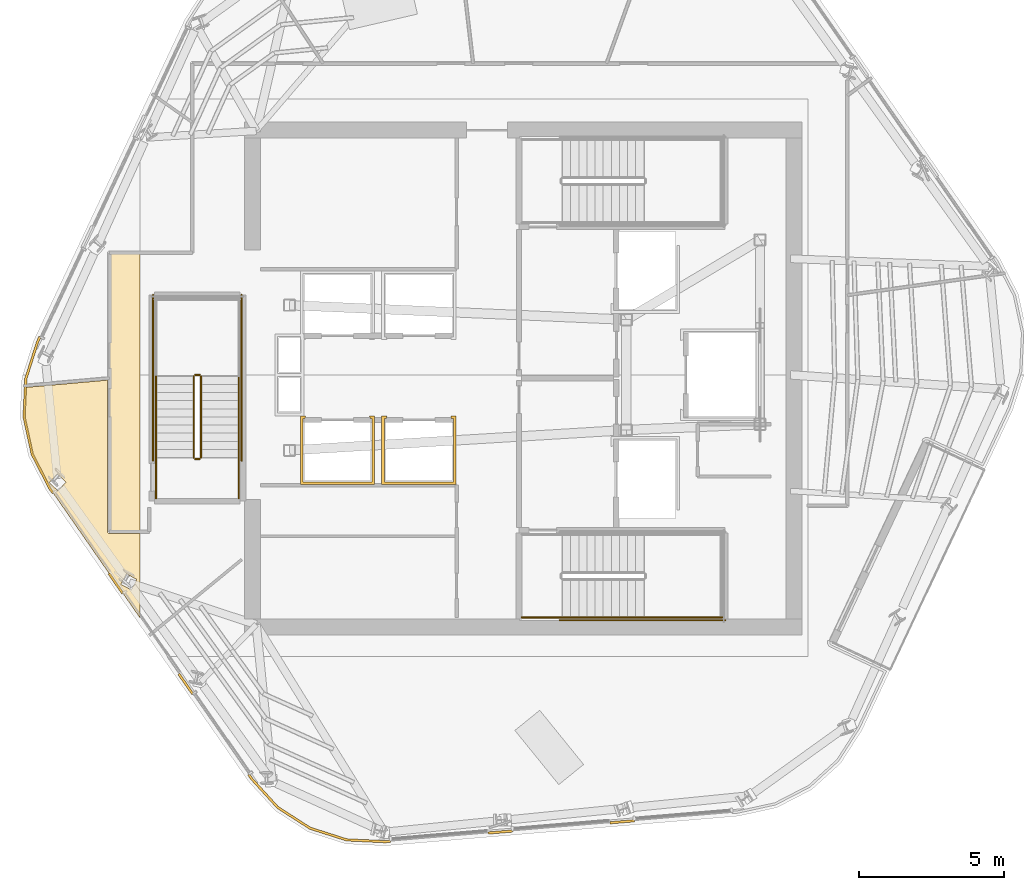
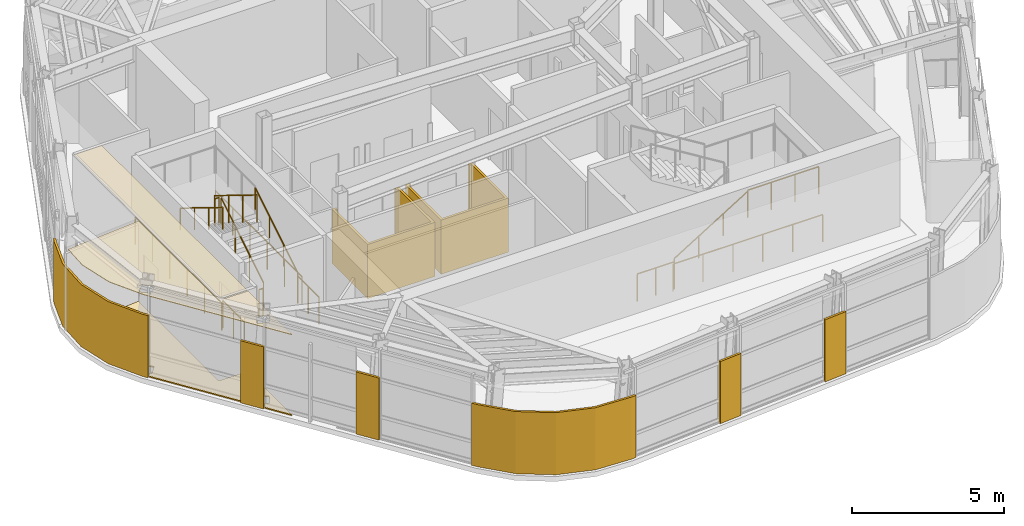
# One storey, part 8 of 14: 14 railings, 11 coverings.
"""IFC4 building model written with IfcOpenShell, lengths in metres."""

from ifc_helpers import new_model, si_unit, direction, frame, origin, origin_2d, place, context, subcontext, project, spatial, polyline, circle, outline, extrude, material, layer, layer_set, type_object, element, save


model = new_model("IFC4")

# Units and contexts
model_context = context("Model", 3, precision=1e-05, world=origin(), true_north=direction((0.0, 1.0)))
body_context = subcontext(model_context, "Body", "Model", "MODEL_VIEW")
ifc_project = project(units=[si_unit("LENGTHUNIT", "METRE"), si_unit("AREAUNIT", "SQUARE_METRE"), si_unit("VOLUMEUNIT", "CUBIC_METRE"), si_unit("PLANEANGLEUNIT", "RADIAN"), si_unit("MASSUNIT", "GRAM", prefix="KILO")], contexts=[model_context])

# Site, building, storey
site_placement = place(None, origin())
site = spatial("IfcSite", under=ifc_project, at=site_placement, CompositionType="ELEMENT")
building_placement = place(site_placement, origin())
building = spatial("IfcBuilding", under=site, at=building_placement, Name="Valkerne Bourse Tower", CompositionType="ELEMENT")
storey_placement = place(building_placement, frame((0.0, 0.0, 304.0)))
storey = spatial("IfcBuildingStorey", under=building, at=storey_placement, Name="L77", CompositionType="ELEMENT", Elevation=304.0)

# Coverings
ifc_material_1 = material(Name="Mineral Fiber Acoustic Ceiling Tile", Category="acoustic")
ifc_layer_1 = layer(ifc_material_1, 0.02490234375)
ifc_layer_set_1 = layer_set([ifc_layer_1], Name="Mineral Fiber Acoustic Ceiling Tile")
covering_type_1 = type_object("IfcCoveringType", Name="COV-CEIL-ACT", PredefinedType="CEILING", material=ifc_layer_set_1)
covering_1_placement = place(storey_placement, frame((0.0, 0.0, 3.25)))
element("IfcCovering", 1, at=covering_1_placement, inside=storey, type_object=covering_type_1, Name="L77 Suspended Ceiling 05", PredefinedType="CEILING", context=body_context, shape_type="SweptSolid", body=[
    extrude(outline(polyline([(29.610107421875, 25.556640625), (29.657958984375, 26.5673828125), (32.48095703125, 26.81884765625), (32.48095703125, 21.599365234375), (32.49462890625, 21.55859375), (32.52001953125, 21.537841796875), (32.549560546875, 21.531005859375), (33.60009765625, 21.531005859375), (33.60009765625, 18.627197265625), (30.500732421875, 23.086181640625), (29.891357421875, 24.267333984375), (29.610107421875, 25.556640625)]), holes=[polyline([(33.48828125, 19.95654296875), (33.126708984375, 20.14697265625), (32.9365234375, 19.78759765625), (32.9375, 19.78564453125), (33.29931640625, 19.59521484375), (33.4892578125, 19.95458984375), (33.48828125, 19.95654296875)]), polyline([(31.050537109375, 23.309814453125), (30.749267578125, 23.585693359375), (30.47412109375, 23.286376953125), (30.474609375, 23.283935546875), (30.77587890625, 23.008056640625), (31.051025390625, 23.307373046875), (31.050537109375, 23.309814453125)])]), origin(), (0.0, 0.0, 1.0), 0.02490234375),
])
ifc_material_2 = material(Name="Bronze Anodised Aluminium AA 6063-T6", Category="aluminium")
ifc_layer_2 = layer(ifc_material_2, 0.030029296875)
ifc_layer_set_2 = layer_set([ifc_layer_2], Name="Bronze Anodised Aluminium AA 6063-T6")
covering_type_2 = type_object("IfcCoveringType", Name="COV-CEIL-METAL", PredefinedType="CEILING", material=ifc_layer_set_2)
covering_2_placement = place(storey_placement, frame((0.0, 0.0, 3.25)))
element("IfcCovering", 2, at=covering_2_placement, inside=storey, type_object=covering_type_2, Name="L77 Suspended Ceiling 02", PredefinedType="CEILING", context=body_context, shape_type="SweptSolid", body=[
    extrude(outline(polyline([(32.553955078125, 21.60400390625), (32.553955078125, 31.196044921875), (33.60009765625, 31.196044921875), (33.60009765625, 21.60400390625), (32.553955078125, 21.60400390625)])), origin(), (0.0, 0.0, 1.0), 0.02490234375),
])
ifc_layer_3 = layer(ifc_material_2, 0.06005859375)
ifc_layer_set_3 = layer_set([ifc_layer_3], Name="Bronze Anodised Aluminium AA 6063-T6")
covering_type_3 = type_object("IfcCoveringType", Name="COV-CRN-ALUM", PredefinedType="CLADDING", material=ifc_layer_set_3)
covering_3_placement = place(storey_placement, origin())
element("IfcCovering", 3, at=covering_3_placement, inside=storey, type_object=covering_type_3, Name="L77 Wind-Shaped Corner Aluminium Cladding 02", PredefinedType="CLADDING", context=body_context, shape_type="SweptSolid", body=[
    extrude(outline(polyline([(49.79052734375, 11.534423828125), (49.783935546875, 11.614013671875), (50.62109375, 11.684326171875), (50.627685546875, 11.604736328125), (49.79052734375, 11.534423828125)])), origin(), (0.0, 0.0, 1.0), 2.5),
])
covering_4_placement = place(storey_placement, origin())
element("IfcCovering", 4, at=covering_4_placement, inside=storey, type_object=covering_type_3, Name="L77 Wind-Shaped Corner Aluminium Cladding 03", PredefinedType="CLADDING", context=body_context, shape_type="SweptSolid", body=[
    extrude(outline(polyline([(45.593505859375, 11.181884765625), (45.586669921875, 11.26171875), (46.423828125, 11.331787109375), (46.430419921875, 11.252197265625), (45.593505859375, 11.181884765625)])), origin(), (0.0, 0.0, 1.0), 2.5),
])
covering_5_placement = place(storey_placement, origin())
element("IfcCovering", 5, at=covering_5_placement, inside=storey, type_object=covering_type_3, Name="L77 Wind-Shaped Corner Aluminium Cladding 04", PredefinedType="CLADDING", context=body_context, shape_type="SweptSolid", body=[
    extrude(outline(polyline([(42.040771484375, 10.883544921875), (40.704345703125, 10.946533203125), (39.436279296875, 11.351318359375), (38.316162109375, 12.0703125), (37.415771484375, 13.059814453125), (37.305419921875, 13.218505859375), (37.37109375, 13.26416015625), (37.478515625, 13.10986328125), (38.3681640625, 12.132080078125), (39.470703125, 11.42431640625), (40.718505859375, 11.02587890625), (42.039306640625, 10.9638671875), (42.2265625, 10.9794921875), (42.2333984375, 10.89990234375), (42.040771484375, 10.883544921875)])), origin(), (0.0, 0.0, 1.0), 2.5),
])
covering_6_placement = place(storey_placement, origin())
element("IfcCovering", 6, at=covering_6_placement, inside=storey, type_object=covering_type_3, Name="L77 Wind-Shaped Corner Aluminium Cladding 05", PredefinedType="CLADDING", context=body_context, shape_type="SweptSolid", body=[
    extrude(outline(polyline([(34.901611328125, 16.67724609375), (34.96728515625, 16.722900390625), (35.44677734375, 16.033203125), (35.381103515625, 15.9873046875), (34.901611328125, 16.67724609375)])), origin(), (0.0, 0.0, 1.0), 2.5),
])
covering_7_placement = place(storey_placement, origin())
element("IfcCovering", 7, at=covering_7_placement, inside=storey, type_object=covering_type_3, Name="L77 Wind-Shaped Corner Aluminium Cladding 06", PredefinedType="CLADDING", context=body_context, shape_type="SweptSolid", body=[
    extrude(outline(polyline([(32.497802734375, 20.135986328125), (32.5634765625, 20.181396484375), (33.04296875, 19.49169921875), (32.977294921875, 19.4462890625), (32.497802734375, 20.135986328125)])), origin(), (0.0, 0.0, 1.0), 2.5),
])
covering_8_placement = place(storey_placement, origin())
element("IfcCovering", 8, at=covering_8_placement, inside=storey, type_object=covering_type_3, Name="L77 Wind-Shaped Corner Aluminium Cladding 07", PredefinedType="CLADDING", context=body_context, shape_type="SweptSolid", body=[
    extrude(outline(polyline([(30.463134765625, 23.0634765625), (29.849609375, 24.252197265625), (29.56591796875, 25.552734375), (29.628662109375, 26.88232421875), (30.035400390625, 28.156982421875), (30.11767578125, 28.331787109375), (30.18994140625, 28.297607421875), (30.110107421875, 28.127685546875), (29.7080078125, 26.8681640625), (29.646484375, 25.5595703125), (29.92529296875, 24.279541015625), (30.53173828125, 23.104736328125), (30.638916015625, 22.950439453125), (30.5732421875, 22.90478515625), (30.463134765625, 23.0634765625)])), origin(), (0.0, 0.0, 1.0), 2.5),
])
ifc_material_3 = material(Name="Galvanised Painted Steel", Category="steel")
ifc_layer_4 = layer(ifc_material_3, 0.044921875)
ifc_layer_set_4 = layer_set([ifc_layer_4], Name="Galvanised Painted Steel")
covering_type_4 = type_object("IfcCoveringType", Name="COV-FLR-RAF", PredefinedType="FLOORING", material=ifc_layer_set_4)
covering_9_placement = place(storey_placement, origin())
element("IfcCovering", 9, at=covering_9_placement, inside=storey, type_object=covering_type_4, Name="L77 Floor Finish 05", PredefinedType="FLOORING", context=body_context, shape_type="SweptSolid", body=[
    extrude(outline(polyline([(29.610107421875, 25.556640625), (29.657958984375, 26.5673828125), (32.48095703125, 26.81884765625), (32.48095703125, 21.599365234375), (32.49462890625, 21.55859375), (32.52001953125, 21.537841796875), (32.549560546875, 21.531005859375), (33.60009765625, 21.531005859375), (33.60009765625, 18.627197265625), (30.500732421875, 23.086181640625), (29.891357421875, 24.267333984375), (29.610107421875, 25.556640625)]), holes=[polyline([(33.48828125, 19.95654296875), (33.126708984375, 20.14697265625), (32.9365234375, 19.78759765625), (32.9375, 19.78564453125), (33.29931640625, 19.59521484375), (33.4892578125, 19.95458984375), (33.48828125, 19.95654296875)]), polyline([(31.050537109375, 23.309814453125), (30.749267578125, 23.585693359375), (30.47412109375, 23.286376953125), (30.474609375, 23.283935546875), (30.77587890625, 23.008056640625), (31.051025390625, 23.307373046875), (31.050537109375, 23.309814453125)])]), origin(), (0.0, 0.0, 1.0), 0.044921875),
])
ifc_material_4 = material(Name="Gypsum Shaftwall Liner Board", Category="gypsum")
ifc_layer_5 = layer(ifc_material_4, 0.080078125)
ifc_layer_set_5 = layer_set([ifc_layer_5], Name="Gypsum Shaftwall Liner Board")
covering_type_5 = type_object("IfcCoveringType", Name="COV-SHF-CLAD", PredefinedType="CLADDING", material=ifc_layer_set_5)
covering_10_placement = place(storey_placement, origin())
element("IfcCovering", 10, at=covering_10_placement, inside=storey, type_object=covering_type_5, Name="L77 Hoistway & Riser Shaftwall Liner 02", PredefinedType="CLADDING", context=body_context, shape_type="SweptSolid", body=[
    extrude(outline(polyline([(39.29931640625, 25.580078125), (39.28857421875, 25.537841796875), (39.2822265625, 25.494140625), (39.281982421875, 25.489990234375), (39.2099609375, 25.489990234375), (39.2099609375, 23.31005859375), (41.590087890625, 23.31005859375), (41.590087890625, 25.489990234375), (41.51806640625, 25.489990234375), (41.517822265625, 25.494140625), (41.511474609375, 25.537841796875), (41.500732421875, 25.580078125), (41.679931640625, 25.580078125), (41.679931640625, 23.219970703125), (39.1201171875, 23.219970703125), (39.1201171875, 25.580078125), (39.29931640625, 25.580078125)])), origin(), (0.0, 0.0, 1.0), 2.179931640625),
])
covering_11_placement = place(storey_placement, origin())
element("IfcCovering", 11, at=covering_11_placement, inside=storey, type_object=covering_type_5, Name="L77 Hoistway & Riser Shaftwall Liner 03", PredefinedType="CLADDING", context=body_context, shape_type="SweptSolid", body=[
    extrude(outline(polyline([(42.09912109375, 25.580078125), (42.088623046875, 25.537841796875), (42.082275390625, 25.494140625), (42.08203125, 25.489990234375), (42.010009765625, 25.489990234375), (42.010009765625, 23.31005859375), (44.389892578125, 23.31005859375), (44.389892578125, 25.489990234375), (44.318115234375, 25.489990234375), (44.31787109375, 25.494140625), (44.311279296875, 25.537841796875), (44.30078125, 25.580078125), (44.47998046875, 25.580078125), (44.47998046875, 23.219970703125), (41.919921875, 23.219970703125), (41.919921875, 25.580078125), (42.09912109375, 25.580078125)])), origin(), (0.0, 0.0, 1.0), 2.179931640625),
])

# Railings
railing_type_1 = type_object("IfcRailingType", Name="RLG-ST-GUARD-1120", PredefinedType="GUARDRAIL", material=ifc_material_3)
railing_1_placement = place(storey_placement, frame((50.949951171875, 18.64990234375, 1.89990234375)))
element("IfcRailing", 12, at=railing_1_placement, inside=storey, type_object=railing_type_1, Name="L77 ST-1 stair guard 3", PredefinedType="GUARDRAIL", context=body_context, shape_type="SweptSolid", body=[
    extrude(circle(Radius=0.02392578125, at=origin_2d()), frame((0.0, 0.0, 1.09619140625), z_axis=(1.0, 0.0, 0.0), x_axis=(0.0, 1.0, 0.0)), (0.0, 0.0, 1.0), 2.699951171875),
    extrude(circle(Radius=0.02099609375, at=origin_2d()), origin(), (0.0, 0.0, 1.0), 1.072021484375),
    extrude(circle(Radius=0.02099609375, at=origin_2d()), frame((0.89990234375, 0.0, 0.0)), (0.0, 0.0, 1.0), 1.072021484375),
    extrude(circle(Radius=0.02099609375, at=origin_2d()), frame((1.800048828125, 0.0, 0.0)), (0.0, 0.0, 1.0), 1.072021484375),
    extrude(circle(Radius=0.02099609375, at=origin_2d()), frame((2.699951171875, 0.0, 0.0)), (0.0, 0.0, 1.0), 1.072021484375),
])
railing_2_placement = place(storey_placement, frame((46.75, 18.64990234375, 0.0)))
element("IfcRailing", 13, at=railing_2_placement, inside=storey, type_object=railing_type_1, Name="L77 ST-1 stair guard 8", PredefinedType="GUARDRAIL", context=body_context, shape_type="SweptSolid", body=[
    extrude(circle(Radius=0.02392578125, at=origin_2d()), frame((0.0, 0.0, 1.09619140625), z_axis=(1.0, 0.0, 0.0), x_axis=(0.0, 1.0, 0.0)), (0.0, 0.0, 1.0), 1.39990234375),
    extrude(circle(Radius=0.02099609375, at=origin_2d()), origin(), (0.0, 0.0, 1.0), 1.072021484375),
    extrude(circle(Radius=0.02099609375, at=origin_2d()), frame((0.699951171875, 0.0, 0.0)), (0.0, 0.0, 1.0), 1.072021484375),
    extrude(circle(Radius=0.02099609375, at=origin_2d()), frame((1.39990234375, 0.0, 0.0)), (0.0, 0.0, 1.0), 1.072021484375),
])
railing_3_placement = place(storey_placement, frame((48.050048828125, 18.550048828125, 0.0)))
element("IfcRailing", 14, at=railing_3_placement, inside=storey, type_object=railing_type_1, Name="L77 ST-1 stair guard 10", PredefinedType="GUARDRAIL", context=body_context, shape_type="SweptSolid", body=[
    extrude(circle(Radius=0.02392578125, at=origin_2d()), frame((0.0, 0.0, 1.09619140625), z_axis=(1.0, 0.0, 0.0), x_axis=(0.0, 1.0, 0.0)), (0.0, 0.0, 1.0), 5.699951171875),
    extrude(circle(Radius=0.02099609375, at=origin_2d()), origin(), (0.0, 0.0, 1.0), 1.072021484375),
    extrude(circle(Radius=0.02099609375, at=origin_2d()), frame((1.139892578125, 0.0, 0.0)), (0.0, 0.0, 1.0), 1.072021484375),
    extrude(circle(Radius=0.02099609375, at=origin_2d()), frame((2.280029296875, 0.0, 0.0)), (0.0, 0.0, 1.0), 1.072021484375),
    extrude(circle(Radius=0.02099609375, at=origin_2d()), frame((3.419921875, 0.0, 0.0)), (0.0, 0.0, 1.0), 1.072021484375),
    extrude(circle(Radius=0.02099609375, at=origin_2d()), frame((4.56005859375, 0.0, 0.0)), (0.0, 0.0, 1.0), 1.072021484375),
    extrude(circle(Radius=0.02099609375, at=origin_2d()), frame((5.699951171875, 0.0, 0.0)), (0.0, 0.0, 1.0), 1.072021484375),
])
railing_4_placement = place(storey_placement, frame((35.699951171875, 24.14990234375, 0.172607421875)))
element("IfcRailing", 15, at=railing_4_placement, inside=storey, type_object=railing_type_1, Name="L77 ST-3 stair guard 1", PredefinedType="GUARDRAIL", context=body_context, shape_type="SweptSolid", body=[
    extrude(circle(Radius=0.02392578125, at=origin_2d()), frame((0.0, 0.0, 1.09619140625), z_axis=(0.0, 0.851089632645, 0.525020415988), x_axis=(-1.0, 0.0, 0.0)), (0.0, 0.0, 1.0), 3.2900390625),
    extrude(circle(Radius=0.02099609375, at=origin_2d()), origin(), (0.0, 0.0, 1.0), 1.072021484375),
    extrude(circle(Radius=0.02099609375, at=origin_2d()), frame((0.0, 0.933349609375, 0.57568359375)), (0.0, 0.0, 1.0), 1.072021484375),
    extrude(circle(Radius=0.02099609375, at=origin_2d()), frame((0.0, 1.86669921875, 1.151611328125)), (0.0, 0.0, 1.0), 1.072021484375),
    extrude(circle(Radius=0.02099609375, at=origin_2d()), frame((0.0, 2.800048828125, 1.727294921875)), (0.0, 0.0, 1.0), 1.072021484375),
])
railing_5_placement = place(storey_placement, frame((35.64990234375, 27.0, 1.89990234375)))
element("IfcRailing", 16, at=railing_5_placement, inside=storey, type_object=railing_type_1, Name="L77 ST-3 stair guard 2", PredefinedType="GUARDRAIL", context=body_context, shape_type="SweptSolid", body=[
    extrude(circle(Radius=0.02392578125, at=origin_2d()), frame((0.0, 0.0, 1.09619140625), z_axis=(-1.0, 0.0, 0.0), x_axis=(0.0, -1.0, 0.0)), (0.0, 0.0, 1.0), 0.14990234375),
    extrude(circle(Radius=0.02099609375, at=origin_2d()), origin(), (0.0, 0.0, 1.0), 1.072021484375),
    extrude(circle(Radius=0.02099609375, at=origin_2d()), frame((-0.14990234375, 0.0, 0.0)), (0.0, 0.0, 1.0), 1.072021484375),
])
railing_6_placement = place(storey_placement, frame((35.449951171875, 26.949951171875, 2.07275390625)))
element("IfcRailing", 17, at=railing_6_placement, inside=storey, type_object=railing_type_1, Name="L77 ST-3 stair guard 6", PredefinedType="GUARDRAIL", context=body_context, shape_type="SweptSolid", body=[
    extrude(circle(Radius=0.02392578125, at=origin_2d()), frame((0.0, 0.0, 1.09619140625), z_axis=(0.0, -0.851089632645, 0.525020415988), x_axis=(1.0, 0.0, 0.0)), (0.0, 0.0, 1.0), 3.2900390625),
    extrude(circle(Radius=0.02099609375, at=origin_2d()), origin(), (0.0, 0.0, 1.0), 1.072021484375),
    extrude(circle(Radius=0.02099609375, at=origin_2d()), frame((0.0, -0.933349609375, 0.57568359375)), (0.0, 0.0, 1.0), 1.072021484375),
    extrude(circle(Radius=0.02099609375, at=origin_2d()), frame((0.0, -1.86669921875, 1.151611328125)), (0.0, 0.0, 1.0), 1.072021484375),
    extrude(circle(Radius=0.02099609375, at=origin_2d()), frame((0.0, -2.800048828125, 1.727294921875)), (0.0, 0.0, 1.0), 1.072021484375),
])
railing_7_placement = place(storey_placement, frame((35.64990234375, 24.10009765625, 0.0)))
element("IfcRailing", 18, at=railing_7_placement, inside=storey, type_object=railing_type_1, Name="L77 ST-3 stair guard 7", PredefinedType="GUARDRAIL", context=body_context, shape_type="SweptSolid", body=[
    extrude(circle(Radius=0.02392578125, at=origin_2d()), frame((0.0, 0.0, 1.09619140625), z_axis=(-1.0, 0.0, 0.0), x_axis=(0.0, -1.0, 0.0)), (0.0, 0.0, 1.0), 0.14990234375),
    extrude(circle(Radius=0.02099609375, at=origin_2d()), origin(), (0.0, 0.0, 1.0), 1.072021484375),
    extrude(circle(Radius=0.02099609375, at=origin_2d()), frame((-0.14990234375, 0.0, 0.0)), (0.0, 0.0, 1.0), 1.072021484375),
])
for number, where, name in (
    (19, (37.0, 22.75, 0.0), "L77 ST-3 stair guard 8"),
    (20, (34.14990234375, 22.75, 0.0), "L77 ST-3 stair guard 9"),
):
    element("IfcRailing", number, at=place(storey_placement, frame(where)), inside=storey, type_object=railing_type_1, Name=name, PredefinedType="GUARDRAIL", context=body_context, shape_type="SweptSolid", body=[
        extrude(circle(Radius=0.02392578125, at=origin_2d()), frame((0.0, 0.0, 1.09619140625), z_axis=(0.0, 1.0, 0.0), x_axis=(-1.0, 0.0, 0.0)), (0.0, 0.0, 1.0), 1.39990234375),
        extrude(circle(Radius=0.02099609375, at=origin_2d()), origin(), (0.0, 0.0, 1.0), 1.072021484375),
        extrude(circle(Radius=0.02099609375, at=origin_2d()), frame((0.0, 0.699951171875, 0.0)), (0.0, 0.0, 1.0), 1.072021484375),
        extrude(circle(Radius=0.02099609375, at=origin_2d()), frame((0.0, 1.39990234375, 0.0)), (0.0, 0.0, 1.0), 1.072021484375),
    ])
for number, where, name in (
    (21, (37.10009765625, 24.050048828125, 0.0), "L77 ST-3 stair guard 10"),
    (22, (34.050048828125, 24.050048828125, 0.0), "L77 ST-3 stair guard 11"),
):
    element("IfcRailing", number, at=place(storey_placement, frame(where)), inside=storey, type_object=railing_type_1, Name=name, PredefinedType="GUARDRAIL", context=body_context, shape_type="SweptSolid", body=[
        extrude(circle(Radius=0.02392578125, at=origin_2d()), frame((0.0, 0.0, 1.09619140625), z_axis=(0.0, 1.0, 0.0), x_axis=(-1.0, 0.0, 0.0)), (0.0, 0.0, 1.0), 5.699951171875),
        extrude(circle(Radius=0.02099609375, at=origin_2d()), origin(), (0.0, 0.0, 1.0), 1.072021484375),
        extrude(circle(Radius=0.02099609375, at=origin_2d()), frame((0.0, 1.139892578125, 0.0)), (0.0, 0.0, 1.0), 1.072021484375),
        extrude(circle(Radius=0.02099609375, at=origin_2d()), frame((0.0, 2.280029296875, 0.0)), (0.0, 0.0, 1.0), 1.072021484375),
        extrude(circle(Radius=0.02099609375, at=origin_2d()), frame((0.0, 3.419921875, 0.0)), (0.0, 0.0, 1.0), 1.072021484375),
        extrude(circle(Radius=0.02099609375, at=origin_2d()), frame((0.0, 4.56005859375, 0.0)), (0.0, 0.0, 1.0), 1.072021484375),
        extrude(circle(Radius=0.02099609375, at=origin_2d()), frame((0.0, 5.699951171875, 0.0)), (0.0, 0.0, 1.0), 1.072021484375),
    ])
ifc_material_5 = material(Name="Stainless Steel AISI 316", Category="steel")
railing_type_2 = type_object("IfcRailingType", Name="RLG-ST-HANDRAIL-900", PredefinedType="HANDRAIL", material=ifc_material_5)
railing_8_placement = place(storey_placement, frame((48.14990234375, 18.64990234375, 0.345458984375)))
element("IfcRailing", 23, at=railing_8_placement, inside=storey, type_object=railing_type_2, Name="L77 ST-1 stair handrail 1", PredefinedType="HANDRAIL", context=body_context, shape_type="SweptSolid", body=[
    extrude(circle(Radius=0.02392578125, at=origin_2d()), frame((0.0, 0.0, 0.8759765625), z_axis=(0.851089632645, 0.0, 0.525020415988), x_axis=(0.0, 1.0, 0.0)), (0.0, 0.0, 1.0), 3.2900390625),
    extrude(circle(Radius=0.02099609375, at=origin_2d()), origin(), (0.0, 0.0, 1.0), 0.851806640625),
    extrude(circle(Radius=0.02099609375, at=origin_2d()), frame((0.933349609375, 0.0, 0.57568359375)), (0.0, 0.0, 1.0), 0.851806640625),
    extrude(circle(Radius=0.02099609375, at=origin_2d()), frame((1.86669921875, 0.0, 1.151611328125)), (0.0, 0.0, 1.0), 0.851806640625),
    extrude(circle(Radius=0.02099609375, at=origin_2d()), frame((2.800048828125, 0.0, 1.727294921875)), (0.0, 0.0, 1.0), 0.851806640625),
])
railing_9_placement = place(storey_placement, frame((37.0, 24.14990234375, 0.345458984375)))
element("IfcRailing", 24, at=railing_9_placement, inside=storey, type_object=railing_type_2, Name="L77 ST-3 stair handrail 1", PredefinedType="HANDRAIL", context=body_context, shape_type="SweptSolid", body=[
    extrude(circle(Radius=0.02392578125, at=origin_2d()), frame((0.0, 0.0, 0.8759765625), z_axis=(0.0, 0.851089632645, 0.525020415988), x_axis=(-1.0, 0.0, 0.0)), (0.0, 0.0, 1.0), 3.2900390625),
    extrude(circle(Radius=0.02099609375, at=origin_2d()), origin(), (0.0, 0.0, 1.0), 0.851806640625),
    extrude(circle(Radius=0.02099609375, at=origin_2d()), frame((0.0, 0.933349609375, 0.57568359375)), (0.0, 0.0, 1.0), 0.851806640625),
    extrude(circle(Radius=0.02099609375, at=origin_2d()), frame((0.0, 1.86669921875, 1.151611328125)), (0.0, 0.0, 1.0), 0.851806640625),
    extrude(circle(Radius=0.02099609375, at=origin_2d()), frame((0.0, 2.800048828125, 1.727294921875)), (0.0, 0.0, 1.0), 0.851806640625),
])
railing_10_placement = place(storey_placement, frame((34.14990234375, 26.949951171875, 2.245361328125)))
element("IfcRailing", 25, at=railing_10_placement, inside=storey, type_object=railing_type_2, Name="L77 ST-3 stair handrail 2", PredefinedType="HANDRAIL", context=body_context, shape_type="SweptSolid", body=[
    extrude(circle(Radius=0.02392578125, at=origin_2d()), frame((0.0, 0.0, 0.8759765625), z_axis=(0.0, -0.851089632645, 0.525020415988), x_axis=(1.0, 0.0, 0.0)), (0.0, 0.0, 1.0), 3.2900390625),
    extrude(circle(Radius=0.02099609375, at=origin_2d()), origin(), (0.0, 0.0, 1.0), 0.851806640625),
    extrude(circle(Radius=0.02099609375, at=origin_2d()), frame((0.0, -0.933349609375, 0.57568359375)), (0.0, 0.0, 1.0), 0.851806640625),
    extrude(circle(Radius=0.02099609375, at=origin_2d()), frame((0.0, -1.86669921875, 1.151611328125)), (0.0, 0.0, 1.0), 0.851806640625),
    extrude(circle(Radius=0.02099609375, at=origin_2d()), frame((0.0, -2.800048828125, 1.727294921875)), (0.0, 0.0, 1.0), 0.851806640625),
])

save(model, "model.ifc")
